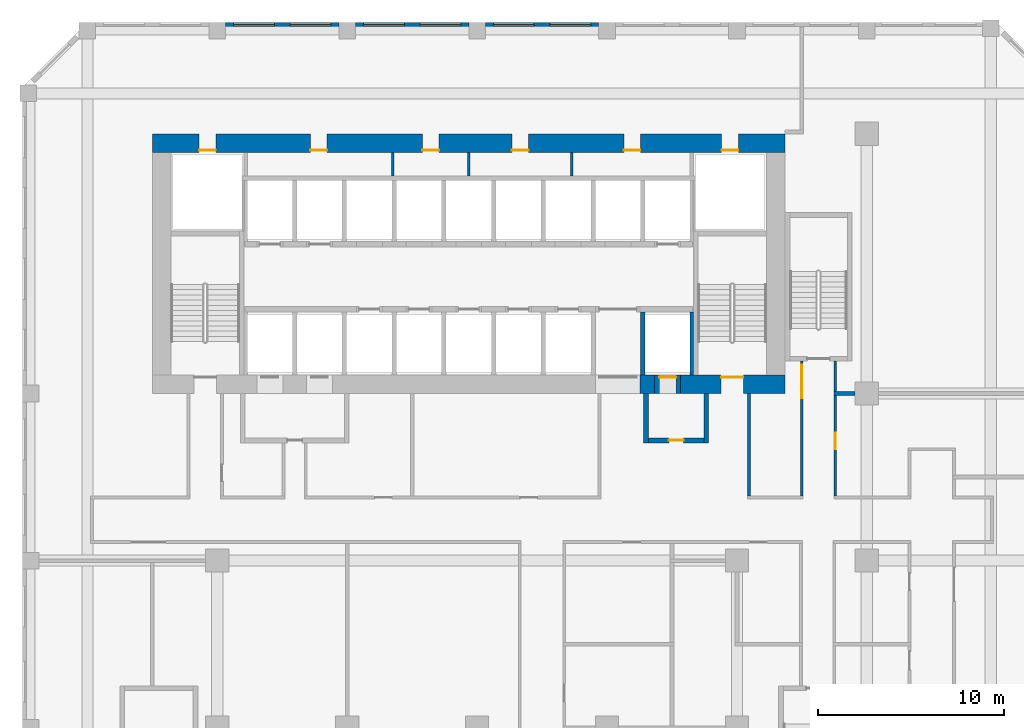
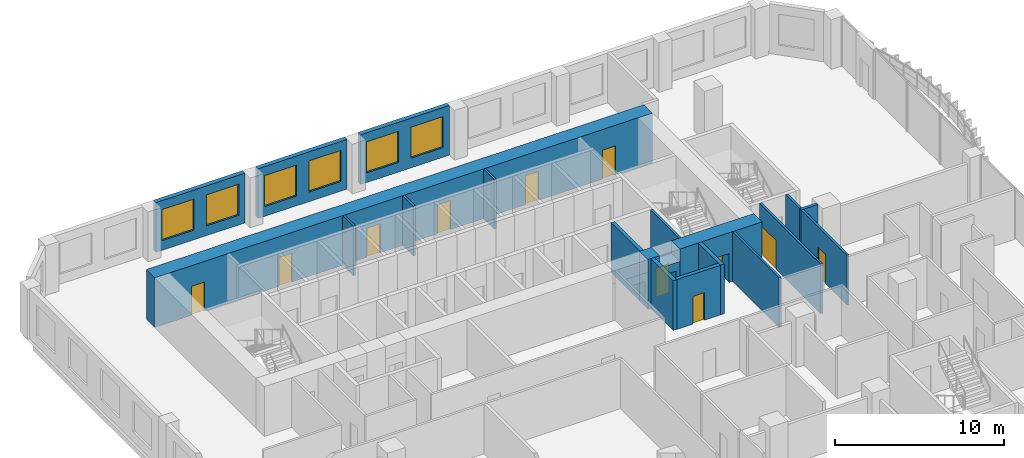
# One storey, part 16 of 21: 20 walls, 11 doors, 6 windows, 17 openings.
"""IFC4 building model written with IfcOpenShell, lengths in metres."""

import ifcopenshell
import ifcopenshell.guid

model = None  # the IFC model being written
_history = None  # IfcOwnerHistory: only IFC2X3 demands one
_inside = {}  # id of a spatial element -> (the spatial element, [elements in it])
_under = {}  # id of a project, library or spatial element -> (it, [spatial elements below it])
_declared = {}  # id of a project -> (the project, [libraries it declares])
_typed = {}  # id of a type object -> (the type object, [elements of that type])
_made_of = {}  # id of a material, layer set ... -> (it, [elements and type objects made of it])


def new_model(schema):
    """Start an empty IFC model of exactly this schema.

    Asked for "IFC4X3", IfcOpenShell would pick the latest addendum, in which some entities
    have other attributes; the version numbers below select the first issue.
    IFC2X3 requires an IfcOwnerHistory on every rooted entity: one is made here for all.
    """
    global model, _history
    if schema == "IFC4X3":
        model = ifcopenshell.file(schema_version=(4, 3, 0, 0))
    else:
        model = ifcopenshell.file(schema=schema)
    _inside.clear()
    _under.clear()
    _declared.clear()
    _typed.clear()
    _made_of.clear()
    _history = None
    if model.schema == "IFC2X3":
        org = make("IfcOrganization", Name="unknown")
        user = make(
            "IfcPersonAndOrganization",
            ThePerson=make("IfcPerson", FamilyName="unknown"),
            TheOrganization=org,
        )
        app = make(
            "IfcApplication",
            ApplicationDeveloper=org,
            Version="unknown",
            ApplicationFullName="unknown",
            ApplicationIdentifier="unknown",
        )
        _history = make(
            "IfcOwnerHistory",
            OwningUser=user,
            OwningApplication=app,
            ChangeAction="ADDED",
            CreationDate=0,
        )
    return model


def make(cls, **values):
    """One entity of the class cls with the attributes given. An attribute that is None is left unset."""
    return model.create_entity(
        cls, **{name: value for name, value in values.items() if value is not None}
    )


def rooted(cls, **values):
    """An entity with a GlobalId (a new one), such as an element, a storey or a relation."""
    return make(cls, GlobalId=ifcopenshell.guid.new(), OwnerHistory=_history, **values)


def si_unit(unit_type, name, prefix=None):
    """IfcSIUnit, for example si_unit("LENGTHUNIT", "METRE", prefix="MILLI")."""
    return make("IfcSIUnit", UnitType=unit_type, Prefix=prefix, Name=name)


def assignment(units):
    """IfcUnitAssignment: the units of a project."""
    return None if units is None else make("IfcUnitAssignment", Units=units)


def point(xyz):
    """IfcCartesianPoint."""
    return None if xyz is None else make("IfcCartesianPoint", Coordinates=xyz)


def direction(xyz):
    """IfcDirection."""
    return None if xyz is None else make("IfcDirection", DirectionRatios=xyz)


def frame(location, z_axis=None, x_axis=None):
    """IfcAxis2Placement3D, a coordinate frame: its origin and axes. An axis left out is left unset."""
    return make(
        "IfcAxis2Placement3D",
        Location=point(location),
        Axis=direction(z_axis),
        RefDirection=direction(x_axis),
    )


def frame_2d(location, x_axis=None):
    """IfcAxis2Placement2D, a coordinate frame in the plane: its origin and x axis."""
    return make(
        "IfcAxis2Placement2D", Location=point(location), RefDirection=direction(x_axis)
    )


def origin():
    """The frame at (0, 0, 0) with its axes left unset."""
    return frame((0.0, 0.0, 0.0))


def place(relative_to, where):
    """IfcLocalPlacement: puts the frame where relative to a parent placement (None: the world)."""
    return make(
        "IfcLocalPlacement", PlacementRelTo=relative_to, RelativePlacement=where
    )


def context(
    kind, dimensions, precision=None, world=None, true_north=None, identifier=None
):
    """IfcGeometricRepresentationContext, for example the 3D "Model" context."""
    return make(
        "IfcGeometricRepresentationContext",
        ContextIdentifier=identifier,
        ContextType=kind,
        CoordinateSpaceDimension=dimensions,
        Precision=precision,
        WorldCoordinateSystem=world,
        TrueNorth=true_north,
    )


def subcontext(parent, identifier, kind, view, scale=None):
    """IfcGeometricRepresentationSubContext, for example "Body" below "Model"."""
    return make(
        "IfcGeometricRepresentationSubContext",
        ContextIdentifier=identifier,
        ContextType=kind,
        ParentContext=parent,
        TargetScale=scale,
        TargetView=view,
    )


def project(units=None, contexts=None):
    """IfcProject with its units and contexts."""
    return rooted(
        "IfcProject",
        Name="project",
        RepresentationContexts=contexts,
        UnitsInContext=assignment(units),
    )


def spatial(cls, under=None, at=None, **own):
    """A site, building, storey or space (cls), placed at a placement, below another one or the project."""
    s = rooted(cls, ObjectPlacement=at, **own)
    if under is not None:
        _under.setdefault(under.id(), (under, []))[1].append(s)
    return s


def profile(cls, at=None, kind="AREA", **sizes):
    """A parametric profile (cls). Its sizes go by their IFC names, for example OverallWidth=200.0."""
    return make(cls, ProfileType=kind, Position=at, **sizes)


def rectangle(**sizes):
    """IfcRectangleProfileDef."""
    return profile("IfcRectangleProfileDef", **sizes)


def extrude(swept, where, along, depth):
    """IfcExtrudedAreaSolid: the profile swept, set in the frame where, extruded along a direction by depth."""
    return make(
        "IfcExtrudedAreaSolid",
        SweptArea=swept,
        Position=where,
        ExtrudedDirection=direction(along),
        Depth=depth,
    )


def shape(context_of_items, identifier, shape_type, items):
    """IfcShapeRepresentation: the items that make up one representation, for example the "Body"."""
    return make(
        "IfcShapeRepresentation",
        ContextOfItems=context_of_items,
        RepresentationIdentifier=identifier,
        RepresentationType=shape_type,
        Items=items,
    )


def source(mapping_origin, context_of_items, identifier, shape_type, items):
    """IfcRepresentationMap: a shape defined once, which mapped items show again and again."""
    return make(
        "IfcRepresentationMap",
        MappingOrigin=mapping_origin,
        MappedRepresentation=shape(context_of_items, identifier, shape_type, items),
    )


def transform(
    local_origin,
    x_axis=None,
    y_axis=None,
    z_axis=None,
    scale=None,
    scale2=None,
    scale3=None,
    uniform=True,
):
    """IfcCartesianTransformationOperator3D, or its non-uniform kind. x_axis, y_axis, z_axis: its Axis1, 2, 3."""
    if uniform:
        return make(
            "IfcCartesianTransformationOperator3D",
            Axis1=direction(x_axis),
            Axis2=direction(y_axis),
            LocalOrigin=point(local_origin),
            Scale=scale,
            Axis3=direction(z_axis),
        )
    return make(
        "IfcCartesianTransformationOperator3DnonUniform",
        Axis1=direction(x_axis),
        Axis2=direction(y_axis),
        LocalOrigin=point(local_origin),
        Scale=scale,
        Axis3=direction(z_axis),
        Scale2=scale2,
        Scale3=scale3,
    )


def mapped(mapping_source, mapping_target):
    """IfcMappedItem: shows the shape of a source again, moved by a transform."""
    return make(
        "IfcMappedItem", MappingSource=mapping_source, MappingTarget=mapping_target
    )


def material(Name=None, Category=None):
    """IfcMaterial."""
    return make("IfcMaterial", Name=Name, Category=Category)


def layer(
    of_material, thickness, ventilated=None, Name=None, Category=None, Priority=None
):
    """IfcMaterialLayer: one layer of a wall or slab, of a material (None: an air gap)."""
    return make(
        "IfcMaterialLayer",
        Material=of_material,
        LayerThickness=thickness,
        IsVentilated=ventilated,
        Name=Name,
        Category=Category,
        Priority=Priority,
    )


def layer_set(layers, Name=None):
    """IfcMaterialLayerSet."""
    return make("IfcMaterialLayerSet", MaterialLayers=layers, LayerSetName=Name)


def made_of(thing, what):
    """Note that an element or type object is made of a material, layer set ...; save() writes the relation."""
    if what is not None:
        _made_of.setdefault(what.id(), (what, []))[1].append(thing)
    return thing


def type_object(cls, material=None, **own):
    """A type object (cls), such as IfcWallType, which elements share."""
    return made_of(rooted(cls, **own), material)


def element(
    cls,
    number,
    at=None,
    inside=None,
    cuts=None,
    type_object=None,
    material=None,
    context=None,
    identifier="Body",
    shape_type=None,
    held_by="IfcProductDefinitionShape",
    body=None,
    shapes=None,
    **own,
):
    """One element of the class cls, such as IfcWall. Its Tag is "e" and its number.

    at: its placement. inside: the storey or other place that contains it. cuts: it is an
    opening in that element (IfcRelVoidsElement). A single representation is given by context,
    identifier, shape_type and body (its items); several are given by shapes. held_by: the class
    of the entity that holds the representations. save() writes the other relations.
    """
    e = rooted(cls, Tag="e%d" % number, ObjectPlacement=at, **own)
    if body is not None:
        shapes = [shape(context, identifier, shape_type, body)]
    if shapes is not None:
        e.Representation = make(held_by, Representations=shapes)
    if inside is not None:
        _inside.setdefault(inside.id(), (inside, []))[1].append(e)
    if cuts is not None:
        rooted(
            "IfcRelVoidsElement", RelatingBuildingElement=cuts, RelatedOpeningElement=e
        )
    if type_object is not None:
        _typed.setdefault(type_object.id(), (type_object, []))[1].append(e)
    return made_of(e, material)


def fill(opening, filler):
    """IfcRelFillsElement: the door or window that sits in an opening."""
    return rooted(
        "IfcRelFillsElement",
        RelatingOpeningElement=opening,
        RelatedBuildingElement=filler,
    )


def aggregate(whole, parts):
    """IfcRelAggregates: a whole, such as a stair, and the parts it consists of."""
    return rooted("IfcRelAggregates", RelatingObject=whole, RelatedObjects=parts)


def save(model, path):
    """Write the relations noted so far, then the file.

    IfcRelAggregates (storeys below a building ...), IfcRelContainedInSpatialStructure (elements
    in a storey), IfcRelDefinesByType, IfcRelAssociatesMaterial and IfcRelDeclares: one each for
    every whole, place, type object, material and project.
    """
    for whole, parts in _under.values():
        aggregate(whole, parts)
    for where, things in _inside.values():
        rooted(
            "IfcRelContainedInSpatialStructure",
            RelatedElements=things,
            RelatingStructure=where,
        )
    for kind, things in _typed.values():
        rooted("IfcRelDefinesByType", RelatedObjects=things, RelatingType=kind)
    for what, things in _made_of.values():
        rooted("IfcRelAssociatesMaterial", RelatedObjects=things, RelatingMaterial=what)
    for by, libraries in _declared.values():
        rooted("IfcRelDeclares", RelatingContext=by, RelatedDefinitions=libraries)
    model.write(path)


model = new_model("IFC4")

# Units and contexts
model_context = context("Model", 3, precision=1e-05, world=origin(), true_north=direction((0.0, 1.0)))
body_context = subcontext(model_context, "Body", "Model", "MODEL_VIEW")
ifc_project = project(units=[si_unit("LENGTHUNIT", "METRE"), si_unit("AREAUNIT", "SQUARE_METRE"), si_unit("VOLUMEUNIT", "CUBIC_METRE"), si_unit("PLANEANGLEUNIT", "RADIAN"), si_unit("MASSUNIT", "GRAM", prefix="KILO")], contexts=[model_context])

# Site, building, storey
site_placement = place(None, origin())
site = spatial("IfcSite", under=ifc_project, at=site_placement, CompositionType="ELEMENT")
building_placement = place(site_placement, origin())
building = spatial("IfcBuilding", under=site, at=building_placement, Name="Kilnfold Tower and Market Hall", CompositionType="ELEMENT")
storey_placement = place(building_placement, frame((0.0, 0.0, 91.199951171875)))
storey = spatial("IfcBuildingStorey", under=building, at=storey_placement, Name="L21", CompositionType="ELEMENT", Elevation=91.199951171875)

# Wall
ifc_material_1 = material(Name="Gypsum board on steel studs", Category="steel")
ifc_layer_1 = layer(ifc_material_1, 0.14990234375)
ifc_layer_set_1 = layer_set([ifc_layer_1], Name="Gypsum board on steel studs")
wall_type_1 = type_object("IfcWallType", Name="WALL CORRIDOR 150", PredefinedType="PARTITIONING", material=ifc_layer_set_1)
wall_1_placement = place(storey_placement, frame((16.14990234375, 2.47509765625, 0.0), z_axis=(0.0, 0.0, 1.0), x_axis=(0.0, 1.0, 0.0)))
element("IfcWall", 1, at=wall_1_placement, inside=storey, type_object=wall_type_1, Name="Partition LY14.28", PredefinedType="PARTITIONING", context=body_context, shape_type="SweptSolid", body=[
    extrude(rectangle(XDim=5.52490234375, YDim=0.14990234375, at=frame_2d((2.762451171875, 0.0))), origin(), (0.0, 0.0, 1.0), 3.60009765625),
])

# Wall, opening, door
wall_2_placement = place(storey_placement, frame((19.0, 9.75, 0.0), z_axis=(0.0, 0.0, 1.0), x_axis=(0.0, -1.0, 0.0)))
wall_2 = element("IfcWall", 2, at=wall_2_placement, inside=storey, type_object=wall_type_1, Name="Partition LY14.30", PredefinedType="PARTITIONING", context=body_context, shape_type="SweptSolid", body=[
    extrude(rectangle(XDim=7.27490234375, YDim=0.14990234375, at=frame_2d((3.637451171875, 0.0))), origin(), (0.0, 0.0, 1.0), 3.60009765625),
])
opening_1_placement = place(wall_2_placement, frame((0.199951171875, 0.0, 0.0)))
opening_1 = element("IfcOpeningElement", 3, at=opening_1_placement, cuts=wall_2, Name="Opening D5", PredefinedType="OPENING", context=body_context, shape_type="SweptSolid", body=[
    extrude(rectangle(XDim=1.800048828125, YDim=2.10009765625, at=frame_2d((0.89990234375, 1.050048828125))), frame((0.0, 0.0849609375, 0.0), z_axis=(0.0, -1.0, 0.0), x_axis=(1.0, 0.0, 0.0)), (0.0, 0.0, 1.0), 0.169921875),
])
ifc_material_2 = material(Name="Timber veneer door leaf in steel frame", Category="steel")
door_type_1 = type_object("IfcDoorType", Name="DOOR DOUBLE 1800 X2100", OperationType="NOTDEFINED", PredefinedType="DOOR", material=ifc_material_2)
door_1_placement = place(opening_1_placement, origin())
door_1 = element("IfcDoor", 4, at=door_1_placement, inside=storey, type_object=door_type_1, Name="Door D5", OperationType="DOUBLE_DOOR_SINGLE_SWING", OverallHeight=2.10009765625, OverallWidth=1.800048828125, PredefinedType="DOOR", context=body_context, shape_type="SweptSolid", body=[
    extrude(rectangle(XDim=1.800048828125, YDim=2.10009765625, at=frame_2d((0.89990234375, 1.050048828125))), frame((0.0, 0.02490234375, 0.0), z_axis=(0.0, -1.0, 0.0), x_axis=(1.0, 0.0, 0.0)), (0.0, 0.0, 1.0), 0.050048828125),
])
fill(opening_1, door_1)

# Wall
wall_3_placement = place(storey_placement, frame((20.800048828125, 8.090087890625, 0.0), z_axis=(0.0, 0.0, 1.0), x_axis=(0.0, 1.0, 0.0)))
element("IfcWall", 5, at=wall_3_placement, inside=storey, type_object=wall_type_1, Name="Partition LY14.31", PredefinedType="PARTITIONING", context=body_context, shape_type="SweptSolid", body=[
    extrude(rectangle(XDim=1.659912109375, YDim=0.14990234375, at=frame_2d((0.830078125, 0.0))), origin(), (0.0, 0.0, 1.0), 3.60009765625),
])

# Wall, opening, door
wall_4_placement = place(storey_placement, frame((20.800048828125, 2.47509765625, 0.0), z_axis=(0.0, 0.0, 1.0), x_axis=(0.0, 1.0, 0.0)))
wall_4 = element("IfcWall", 6, at=wall_4_placement, inside=storey, type_object=wall_type_1, Name="Partition LY14.35", PredefinedType="PARTITIONING", context=body_context, shape_type="SweptSolid", body=[
    extrude(rectangle(XDim=5.434814453125, YDim=0.14990234375, at=frame_2d((2.71728515625, 0.0))), origin(), (0.0, 0.0, 1.0), 3.60009765625),
])
opening_2_placement = place(wall_4_placement, frame((2.52001953125, 0.0, 0.0)))
opening_2 = element("IfcOpeningElement", 7, at=opening_2_placement, cuts=wall_4, Name="Opening D2", PredefinedType="OPENING", context=body_context, shape_type="SweptSolid", body=[
    extrude(rectangle(XDim=0.89990234375, YDim=2.10009765625, at=frame_2d((0.449951171875, 1.050048828125))), frame((0.0, 0.0849609375, 0.0), z_axis=(0.0, -1.0, 0.0), x_axis=(1.0, 0.0, 0.0)), (0.0, 0.0, 1.0), 0.169921875),
])
ifc_material_3 = material(Name="Timber veneer door leaf in steel frame", Category="steel")
door_type_2 = type_object("IfcDoorType", Name="DOOR ROOM 900 X2100", OperationType="NOTDEFINED", PredefinedType="DOOR", material=ifc_material_3)
door_2_placement = place(opening_2_placement, origin())
door_2 = element("IfcDoor", 8, at=door_2_placement, inside=storey, type_object=door_type_2, Name="Door D2", OperationType="SINGLE_SWING_RIGHT", OverallHeight=2.10009765625, OverallWidth=0.89990234375, PredefinedType="DOOR", context=body_context, shape_type="SweptSolid", body=[
    extrude(rectangle(XDim=0.89990234375, YDim=2.10009765625, at=frame_2d((0.449951171875, 1.050048828125))), frame((0.0, 0.02490234375, 0.0), z_axis=(0.0, -1.0, 0.0), x_axis=(1.0, 0.0, 0.0)), (0.0, 0.0, 1.0), 0.050048828125),
])
fill(opening_2, door_2)

# Walls
ifc_material_4 = material(Name="Gypsum board on steel studs", Category="steel")
ifc_layer_2 = layer(ifc_material_4, 0.199951171875)
ifc_layer_set_2 = layer_set([ifc_layer_2], Name="Gypsum board on steel studs")
wall_type_2 = type_object("IfcWallType", Name="WALL PARTY 200", PredefinedType="PARTITIONING", material=ifc_layer_set_2)
wall_5_placement = place(storey_placement, frame((20.72607421875, 8.0, 0.0), z_axis=(0.0, 0.0, 1.0), x_axis=(1.0, 0.0, 0.0)))
element("IfcWall", 9, at=wall_5_placement, inside=storey, type_object=wall_type_2, Name="Partition LY14.75", PredefinedType="PARTITIONING", context=body_context, shape_type="SweptSolid", body=[
    extrude(rectangle(XDim=1.14892578125, YDim=0.199951171875, at=frame_2d((0.574462890625, 0.0))), origin(), (0.0, 0.0, 1.0), 3.60009765625),
])
ifc_material_5 = material(Name="Concrete C80", Category="concrete")
ifc_layer_3 = layer(ifc_material_5, 1.0)
ifc_layer_set_3 = layer_set([ifc_layer_3], Name="Concrete C80")
wall_type_3 = type_object("IfcWallType", Name="CORE WALL 1000 C80", PredefinedType="SHEAR", material=ifc_layer_set_3)
shared_shape_1 = source(origin(), body_context, "Body", "SweptSolid", [
    extrude(rectangle(XDim=0.780029296875, YDim=1.0, at=frame_2d((0.39013671875, 0.0))), origin(), (0.0, 0.0, 1.0), 3.60009765625),
])
wall_6_placement = place(storey_placement, frame((10.2900390625, 8.5, 0.0), z_axis=(0.0, 0.0, 1.0), x_axis=(1.0, 0.0, 0.0)))
element("IfcWall", 10, at=wall_6_placement, inside=storey, type_object=wall_type_3, Name="Core outer wall south", PredefinedType="SHEAR", context=body_context, shape_type="MappedRepresentation", body=[
    mapped(shared_shape_1, transform((0.0, 0.0, 0.0))),
])

# Wall, opening, door
shared_shape_2 = source(origin(), body_context, "Body", "SweptSolid", [
    extrude(rectangle(XDim=5.630126953125, YDim=1.0, at=frame_2d((2.81494140625, 0.0))), origin(), (0.0, 0.0, 1.0), 3.60009765625),
])
wall_7_placement = place(storey_placement, frame((12.469970703125, 8.5, 0.0), z_axis=(0.0, 0.0, 1.0), x_axis=(1.0, 0.0, 0.0)))
wall_7 = element("IfcWall", 11, at=wall_7_placement, inside=storey, type_object=wall_type_3, Name="Core outer wall south", PredefinedType="SHEAR", context=body_context, shape_type="MappedRepresentation", body=[
    mapped(shared_shape_2, transform((0.0, 0.0, 0.0))),
])
opening_3_placement = place(wall_7_placement, frame((2.179931640625, 0.0, 0.0)))
opening_3 = element("IfcOpeningElement", 12, at=opening_3_placement, cuts=wall_7, Name="Opening SD1", PredefinedType="OPENING", context=body_context, shape_type="SweptSolid", body=[
    extrude(rectangle(XDim=1.199951171875, YDim=2.10009765625, at=frame_2d((0.60009765625, 1.050048828125))), frame((0.0, 0.510009765625, 0.0), z_axis=(0.0, -1.0, 0.0), x_axis=(1.0, 0.0, 0.0)), (0.0, 0.0, 1.0), 1.02001953125),
])
ifc_material_6 = material(Name="Steel door set with fire-resisting leaf", Category="steel")
door_type_3 = type_object("IfcDoorType", Name="STAIR FLOOR DOOR 1200X2100", OperationType="NOTDEFINED", PredefinedType="DOOR", material=ifc_material_6)
door_3_placement = place(opening_3_placement, origin())
door_3 = element("IfcDoor", 13, at=door_3_placement, inside=storey, type_object=door_type_3, Name="Exit stair ST2 door", OperationType="DOUBLE_DOOR_SINGLE_SWING", OverallHeight=2.10009765625, OverallWidth=1.199951171875, PredefinedType="DOOR", context=body_context, shape_type="SweptSolid", body=[
    extrude(rectangle(XDim=1.199951171875, YDim=2.10009765625, at=frame_2d((0.60009765625, 1.050048828125))), frame((0.0, 0.40478515625, 0.0), z_axis=(0.0, -1.0, 0.0), x_axis=(1.0, 0.0, 0.0)), (0.0, 0.0, 1.0), 0.050048828125),
])
fill(opening_3, door_3)

# Wall, openings, doors
shared_shape_3 = source(origin(), body_context, "Body", "SweptSolid", [
    extrude(rectangle(XDim=34.10009765625, YDim=1.0, at=frame_2d((17.050048828125, 0.0))), origin(), (0.0, 0.0, 1.0), 3.60009765625),
])
wall_8_placement = place(storey_placement, frame((-16.0, 21.5, 0.0), z_axis=(0.0, 0.0, 1.0), x_axis=(1.0, 0.0, 0.0)))
wall_8 = element("IfcWall", 14, at=wall_8_placement, inside=storey, type_object=wall_type_3, Name="Core outer wall north", PredefinedType="SHEAR", context=body_context, shape_type="MappedRepresentation", body=[
    mapped(shared_shape_3, transform((0.0, 0.0, 0.0))),
])
opening_4_placement = place(wall_8_placement, frame((8.519775390625, 0.0, 0.0)))
opening_4 = element("IfcOpeningElement", 15, at=opening_4_placement, cuts=wall_8, Name="Opening KD1", PredefinedType="OPENING", context=body_context, shape_type="SweptSolid", body=[
    extrude(rectangle(XDim=0.89990234375, YDim=2.10009765625, at=frame_2d((0.449951171875, 1.050048828125))), frame((0.0, 0.510009765625, 0.0), z_axis=(0.0, -1.0, 0.0), x_axis=(1.0, 0.0, 0.0)), (0.0, 0.0, 1.0), 1.02001953125),
])
opening_5_placement = place(wall_8_placement, frame((14.5498046875, 0.0, 0.0)))
opening_5 = element("IfcOpeningElement", 16, at=opening_5_placement, cuts=wall_8, Name="Opening KD1", PredefinedType="OPENING", context=body_context, shape_type="SweptSolid", body=[
    extrude(rectangle(XDim=0.89990234375, YDim=2.10009765625, at=frame_2d((0.449951171875, 1.050048828125))), frame((0.0, 0.510009765625, 0.0), z_axis=(0.0, -1.0, 0.0), x_axis=(1.0, 0.0, 0.0)), (0.0, 0.0, 1.0), 1.02001953125),
])
opening_6_placement = place(wall_8_placement, frame((19.373779296875, 0.0, 0.0)))
opening_6 = element("IfcOpeningElement", 17, at=opening_6_placement, cuts=wall_8, Name="Opening KD1", PredefinedType="OPENING", context=body_context, shape_type="SweptSolid", body=[
    extrude(rectangle(XDim=0.89990234375, YDim=2.10009765625, at=frame_2d((0.449951171875, 1.050048828125))), frame((0.0, 0.510009765625, 0.0), z_axis=(0.0, -1.0, 0.0), x_axis=(1.0, 0.0, 0.0)), (0.0, 0.0, 1.0), 1.02001953125),
])
opening_7_placement = place(wall_8_placement, frame((25.40380859375, 0.0, 0.0)))
opening_7 = element("IfcOpeningElement", 18, at=opening_7_placement, cuts=wall_8, Name="Opening KD1", PredefinedType="OPENING", context=body_context, shape_type="SweptSolid", body=[
    extrude(rectangle(XDim=0.89990234375, YDim=2.10009765625, at=frame_2d((0.449951171875, 1.050048828125))), frame((0.0, 0.510009765625, 0.0), z_axis=(0.0, -1.0, 0.0), x_axis=(1.0, 0.0, 0.0)), (0.0, 0.0, 1.0), 1.02001953125),
])
opening_8_placement = place(wall_8_placement, frame((2.52490234375, 0.0, 0.0)))
opening_8 = element("IfcOpeningElement", 19, at=opening_8_placement, cuts=wall_8, Name="Opening KD1", PredefinedType="OPENING", context=body_context, shape_type="SweptSolid", body=[
    extrude(rectangle(XDim=0.89990234375, YDim=2.10009765625, at=frame_2d((0.449951171875, 1.050048828125))), frame((0.0, 0.510009765625, 0.0), z_axis=(0.0, -1.0, 0.0), x_axis=(1.0, 0.0, 0.0)), (0.0, 0.0, 1.0), 1.02001953125),
])
opening_9_placement = place(wall_8_placement, frame((30.675048828125, 0.0, 0.0)))
opening_9 = element("IfcOpeningElement", 20, at=opening_9_placement, cuts=wall_8, Name="Opening KD1", PredefinedType="OPENING", context=body_context, shape_type="SweptSolid", body=[
    extrude(rectangle(XDim=0.89990234375, YDim=2.10009765625, at=frame_2d((0.449951171875, 1.050048828125))), frame((0.0, 0.510009765625, 0.0), z_axis=(0.0, -1.0, 0.0), x_axis=(1.0, 0.0, 0.0)), (0.0, 0.0, 1.0), 1.02001953125),
])
ifc_material_7 = material(Name="Steel door set with fire-resisting leaf", Category="steel")
door_type_4 = type_object("IfcDoorType", Name="SERVICE DOOR 900X2100", OperationType="NOTDEFINED", PredefinedType="DOOR", material=ifc_material_7)
door_4_placement = place(opening_4_placement, origin())
door_4 = element("IfcDoor", 21, at=door_4_placement, inside=storey, type_object=door_type_4, Name="Core service door", OperationType="SINGLE_SWING_RIGHT", OverallHeight=2.10009765625, OverallWidth=0.89990234375, PredefinedType="DOOR", context=body_context, shape_type="SweptSolid", body=[
    extrude(rectangle(XDim=0.89990234375, YDim=2.10009765625, at=frame_2d((0.449951171875, 1.050048828125))), frame((0.0, -0.35498046875, 0.0), z_axis=(0.0, -1.0, 0.0), x_axis=(1.0, 0.0, 0.0)), (0.0, 0.0, 1.0), 0.050048828125),
])
fill(opening_4, door_4)
door_5_placement = place(opening_5_placement, origin())
door_5 = element("IfcDoor", 22, at=door_5_placement, inside=storey, type_object=door_type_4, Name="Core service door", OperationType="SINGLE_SWING_LEFT", OverallHeight=2.10009765625, OverallWidth=0.89990234375, PredefinedType="DOOR", context=body_context, shape_type="SweptSolid", body=[
    extrude(rectangle(XDim=0.89990234375, YDim=2.10009765625, at=frame_2d((0.449951171875, 1.050048828125))), frame((0.0, -0.35498046875, 0.0), z_axis=(0.0, -1.0, 0.0), x_axis=(1.0, 0.0, 0.0)), (0.0, 0.0, 1.0), 0.050048828125),
])
fill(opening_5, door_5)
door_6_placement = place(opening_6_placement, origin())
door_6 = element("IfcDoor", 23, at=door_6_placement, inside=storey, type_object=door_type_4, Name="Core service door", OperationType="SINGLE_SWING_RIGHT", OverallHeight=2.10009765625, OverallWidth=0.89990234375, PredefinedType="DOOR", context=body_context, shape_type="SweptSolid", body=[
    extrude(rectangle(XDim=0.89990234375, YDim=2.10009765625, at=frame_2d((0.449951171875, 1.050048828125))), frame((0.0, -0.35498046875, 0.0), z_axis=(0.0, -1.0, 0.0), x_axis=(1.0, 0.0, 0.0)), (0.0, 0.0, 1.0), 0.050048828125),
])
fill(opening_6, door_6)
door_7_placement = place(opening_7_placement, origin())
door_7 = element("IfcDoor", 24, at=door_7_placement, inside=storey, type_object=door_type_4, Name="Core service door", OperationType="SINGLE_SWING_LEFT", OverallHeight=2.10009765625, OverallWidth=0.89990234375, PredefinedType="DOOR", context=body_context, shape_type="SweptSolid", body=[
    extrude(rectangle(XDim=0.89990234375, YDim=2.10009765625, at=frame_2d((0.449951171875, 1.050048828125))), frame((0.0, -0.35498046875, 0.0), z_axis=(0.0, -1.0, 0.0), x_axis=(1.0, 0.0, 0.0)), (0.0, 0.0, 1.0), 0.050048828125),
])
fill(opening_7, door_7)
door_8_placement = place(opening_8_placement, origin())
door_8 = element("IfcDoor", 25, at=door_8_placement, inside=storey, type_object=door_type_4, Name="Electrical riser access door", OperationType="SINGLE_SWING_RIGHT", OverallHeight=2.10009765625, OverallWidth=0.89990234375, PredefinedType="DOOR", context=body_context, shape_type="SweptSolid", body=[
    extrude(rectangle(XDim=0.89990234375, YDim=2.10009765625, at=frame_2d((0.449951171875, 1.050048828125))), frame((0.0, -0.35498046875, 0.0), z_axis=(0.0, -1.0, 0.0), x_axis=(1.0, 0.0, 0.0)), (0.0, 0.0, 1.0), 0.050048828125),
])
fill(opening_8, door_8)
door_9_placement = place(opening_9_placement, origin())
door_9 = element("IfcDoor", 26, at=door_9_placement, inside=storey, type_object=door_type_4, Name="Mechanical riser access door", OperationType="SINGLE_SWING_LEFT", OverallHeight=2.10009765625, OverallWidth=0.89990234375, PredefinedType="DOOR", context=body_context, shape_type="SweptSolid", body=[
    extrude(rectangle(XDim=0.89990234375, YDim=2.10009765625, at=frame_2d((0.449951171875, 1.050048828125))), frame((0.0, -0.35498046875, 0.0), z_axis=(0.0, -1.0, 0.0), x_axis=(1.0, 0.0, 0.0)), (0.0, 0.0, 1.0), 0.050048828125),
])
fill(opening_9, door_9)

# Wall, openings, windows
ifc_material_8 = material(Name="Precast concrete C50/60", Category="concrete")
ifc_layer_4 = layer(ifc_material_8, 0.300048828125)
ifc_layer_set_4 = layer_set([ifc_layer_4], Name="Precast concrete C50/60")
wall_type_4 = type_object("IfcWallType", Name="PRECAST WALL 300", PredefinedType="SOLIDWALL", material=ifc_layer_set_4)
shared_shape_4 = source(origin(), body_context, "Body", "SweptSolid", [
    extrude(rectangle(XDim=6.10009765625, YDim=0.300048828125, at=frame_2d((3.050048828125, 0.0))), origin(), (0.0, 0.0, 1.0), 3.60009765625),
])
wall_9_placement = place(storey_placement, frame((8.050048828125, 27.85009765625, 0.0), z_axis=(0.0, 0.0, 1.0), x_axis=(-1.0, 0.0, 0.0)))
wall_9 = element("IfcWall", 27, at=wall_9_placement, inside=storey, type_object=wall_type_4, Name="External wall L21 N", PredefinedType="SOLIDWALL", context=body_context, shape_type="MappedRepresentation", body=[
    mapped(shared_shape_4, transform((0.0, 0.0, 0.0))),
])
opening_10_placement = place(wall_9_placement, frame((0.425048828125, 0.0, 0.699951171875)))
opening_10 = element("IfcOpeningElement", 28, at=opening_10_placement, cuts=wall_9, Name="Opening W1", PredefinedType="OPENING", context=body_context, shape_type="SweptSolid", body=[
    extrude(rectangle(XDim=2.199951171875, YDim=2.25, at=frame_2d((1.10009765625, 1.125))), frame((0.0, 0.16015625, 0.0), z_axis=(0.0, -1.0, 0.0), x_axis=(1.0, 0.0, 0.0)), (0.0, 0.0, 1.0), 0.320068359375),
])
opening_11_placement = place(wall_9_placement, frame((3.47509765625, 0.0, 0.699951171875)))
opening_11 = element("IfcOpeningElement", 29, at=opening_11_placement, cuts=wall_9, Name="Opening W1", PredefinedType="OPENING", context=body_context, shape_type="SweptSolid", body=[
    extrude(rectangle(XDim=2.199951171875, YDim=2.25, at=frame_2d((1.10009765625, 1.125))), frame((0.0, 0.16015625, 0.0), z_axis=(0.0, -1.0, 0.0), x_axis=(1.0, 0.0, 0.0)), (0.0, 0.0, 1.0), 0.320068359375),
])
ifc_material_9 = material(Name="Aluminium frame and double glazing", Category="aluminium")
window_type = type_object("IfcWindowType", Name="WINDOW W1 2200X2250", PartitioningType="SINGLE_PANEL", PredefinedType="WINDOW", material=ifc_material_9)
window_1_placement = place(opening_10_placement, origin())
window_1 = element("IfcWindow", 30, at=window_1_placement, inside=storey, type_object=window_type, Name="Window W1 L21 N-1", OverallHeight=2.25, OverallWidth=2.199951171875, PartitioningType="SINGLE_PANEL", PredefinedType="WINDOW", context=body_context, shape_type="SweptSolid", body=[
    extrude(rectangle(XDim=2.199951171875, YDim=2.25, at=frame_2d((1.10009765625, 1.125))), frame((0.0, 0.030029296875, 0.0), z_axis=(0.0, -1.0, 0.0), x_axis=(1.0, 0.0, 0.0)), (0.0, 0.0, 1.0), 0.06005859375),
])
fill(opening_10, window_1)
window_2_placement = place(opening_11_placement, origin())
window_2 = element("IfcWindow", 31, at=window_2_placement, inside=storey, type_object=window_type, Name="Window W1 L21 N-2", OverallHeight=2.25, OverallWidth=2.199951171875, PartitioningType="SINGLE_PANEL", PredefinedType="WINDOW", context=body_context, shape_type="SweptSolid", body=[
    extrude(rectangle(XDim=2.199951171875, YDim=2.25, at=frame_2d((1.10009765625, 1.125))), frame((0.0, 0.030029296875, 0.0), z_axis=(0.0, -1.0, 0.0), x_axis=(1.0, 0.0, 0.0)), (0.0, 0.0, 1.0), 0.06005859375),
])
fill(opening_11, window_2)

wall_10_placement = place(storey_placement, frame((1.050048828125, 27.85009765625, 0.0), z_axis=(0.0, 0.0, 1.0), x_axis=(-1.0, 0.0, 0.0)))
wall_10 = element("IfcWall", 32, at=wall_10_placement, inside=storey, type_object=wall_type_4, Name="External wall L21 N", PredefinedType="SOLIDWALL", context=body_context, shape_type="MappedRepresentation", body=[
    mapped(shared_shape_4, transform((0.0, 0.0, 0.0))),
])
opening_12_placement = place(wall_10_placement, frame((0.425048828125, 0.0, 0.699951171875)))
opening_12 = element("IfcOpeningElement", 33, at=opening_12_placement, cuts=wall_10, Name="Opening W1", PredefinedType="OPENING", context=body_context, shape_type="SweptSolid", body=[
    extrude(rectangle(XDim=2.199951171875, YDim=2.25, at=frame_2d((1.10009765625, 1.125))), frame((0.0, 0.16015625, 0.0), z_axis=(0.0, -1.0, 0.0), x_axis=(1.0, 0.0, 0.0)), (0.0, 0.0, 1.0), 0.320068359375),
])
opening_13_placement = place(wall_10_placement, frame((3.47509765625, 0.0, 0.699951171875)))
opening_13 = element("IfcOpeningElement", 34, at=opening_13_placement, cuts=wall_10, Name="Opening W1", PredefinedType="OPENING", context=body_context, shape_type="SweptSolid", body=[
    extrude(rectangle(XDim=2.199951171875, YDim=2.25, at=frame_2d((1.10009765625, 1.125))), frame((0.0, 0.16015625, 0.0), z_axis=(0.0, -1.0, 0.0), x_axis=(1.0, 0.0, 0.0)), (0.0, 0.0, 1.0), 0.320068359375),
])
window_3_placement = place(opening_12_placement, origin())
window_3 = element("IfcWindow", 35, at=window_3_placement, inside=storey, type_object=window_type, Name="Window W1 L21 N-1", OverallHeight=2.25, OverallWidth=2.199951171875, PartitioningType="SINGLE_PANEL", PredefinedType="WINDOW", context=body_context, shape_type="SweptSolid", body=[
    extrude(rectangle(XDim=2.199951171875, YDim=2.25, at=frame_2d((1.10009765625, 1.125))), frame((0.0, 0.030029296875, 0.0), z_axis=(0.0, -1.0, 0.0), x_axis=(1.0, 0.0, 0.0)), (0.0, 0.0, 1.0), 0.06005859375),
])
fill(opening_12, window_3)
window_4_placement = place(opening_13_placement, origin())
window_4 = element("IfcWindow", 36, at=window_4_placement, inside=storey, type_object=window_type, Name="Window W1 L21 N-2", OverallHeight=2.25, OverallWidth=2.199951171875, PartitioningType="SINGLE_PANEL", PredefinedType="WINDOW", context=body_context, shape_type="SweptSolid", body=[
    extrude(rectangle(XDim=2.199951171875, YDim=2.25, at=frame_2d((1.10009765625, 1.125))), frame((0.0, 0.030029296875, 0.0), z_axis=(0.0, -1.0, 0.0), x_axis=(1.0, 0.0, 0.0)), (0.0, 0.0, 1.0), 0.06005859375),
])
fill(opening_13, window_4)

wall_11_placement = place(storey_placement, frame((-5.949951171875, 27.85009765625, 0.0), z_axis=(0.0, 0.0, 1.0), x_axis=(-1.0, 0.0, 0.0)))
wall_11 = element("IfcWall", 37, at=wall_11_placement, inside=storey, type_object=wall_type_4, Name="External wall L21 N", PredefinedType="SOLIDWALL", context=body_context, shape_type="MappedRepresentation", body=[
    mapped(shared_shape_4, transform((0.0, 0.0, 0.0))),
])
opening_14_placement = place(wall_11_placement, frame((0.425048828125, 0.0, 0.699951171875)))
opening_14 = element("IfcOpeningElement", 38, at=opening_14_placement, cuts=wall_11, Name="Opening W1", PredefinedType="OPENING", context=body_context, shape_type="SweptSolid", body=[
    extrude(rectangle(XDim=2.199951171875, YDim=2.25, at=frame_2d((1.10009765625, 1.125))), frame((0.0, 0.16015625, 0.0), z_axis=(0.0, -1.0, 0.0), x_axis=(1.0, 0.0, 0.0)), (0.0, 0.0, 1.0), 0.320068359375),
])
opening_15_placement = place(wall_11_placement, frame((3.47509765625, 0.0, 0.699951171875)))
opening_15 = element("IfcOpeningElement", 39, at=opening_15_placement, cuts=wall_11, Name="Opening W1", PredefinedType="OPENING", context=body_context, shape_type="SweptSolid", body=[
    extrude(rectangle(XDim=2.199951171875, YDim=2.25, at=frame_2d((1.10009765625, 1.125))), frame((0.0, 0.16015625, 0.0), z_axis=(0.0, -1.0, 0.0), x_axis=(1.0, 0.0, 0.0)), (0.0, 0.0, 1.0), 0.320068359375),
])
window_5_placement = place(opening_14_placement, origin())
window_5 = element("IfcWindow", 40, at=window_5_placement, inside=storey, type_object=window_type, Name="Window W1 L21 N-1", OverallHeight=2.25, OverallWidth=2.199951171875, PartitioningType="SINGLE_PANEL", PredefinedType="WINDOW", context=body_context, shape_type="SweptSolid", body=[
    extrude(rectangle(XDim=2.199951171875, YDim=2.25, at=frame_2d((1.10009765625, 1.125))), frame((0.0, 0.030029296875, 0.0), z_axis=(0.0, -1.0, 0.0), x_axis=(1.0, 0.0, 0.0)), (0.0, 0.0, 1.0), 0.06005859375),
])
fill(opening_14, window_5)
window_6_placement = place(opening_15_placement, origin())
window_6 = element("IfcWindow", 41, at=window_6_placement, inside=storey, type_object=window_type, Name="Window W1 L21 N-2", OverallHeight=2.25, OverallWidth=2.199951171875, PartitioningType="SINGLE_PANEL", PredefinedType="WINDOW", context=body_context, shape_type="SweptSolid", body=[
    extrude(rectangle(XDim=2.199951171875, YDim=2.25, at=frame_2d((1.10009765625, 1.125))), frame((0.0, 0.030029296875, 0.0), z_axis=(0.0, -1.0, 0.0), x_axis=(1.0, 0.0, 0.0)), (0.0, 0.0, 1.0), 0.06005859375),
])
fill(opening_15, window_6)

# Wall, opening, door
ifc_material_10 = material(Name="Gypsum shaft wall system")
ifc_layer_5 = layer(ifc_material_10, 1.0)
ifc_layer_set_5 = layer_set([ifc_layer_5], Name="Gypsum shaft wall system")
wall_type_5 = type_object("IfcWallType", Name="LOBBY WALL 1000", PredefinedType="PARTITIONING", material=ifc_layer_set_5)
shared_shape_5 = source(origin(), body_context, "Body", "SweptSolid", [
    extrude(rectangle(XDim=1.39990234375, YDim=1.0, at=frame_2d((0.699951171875, 0.0))), origin(), (0.0, 0.0, 1.0), 2.699951171875),
])
wall_12_placement = place(storey_placement, frame((11.070068359375, 8.5, 0.0), z_axis=(0.0, 0.0, 1.0), x_axis=(1.0, 0.0, 0.0)))
wall_12 = element("IfcWall", 42, at=wall_12_placement, inside=storey, type_object=wall_type_5, Name="Core wall infill", PredefinedType="PARTITIONING", context=body_context, shape_type="MappedRepresentation", body=[
    mapped(shared_shape_5, transform((0.0, 0.0, 0.0))),
])
opening_16_placement = place(wall_12_placement, frame((0.25, 0.0, 0.0)))
opening_16 = element("IfcOpeningElement", 43, at=opening_16_placement, cuts=wall_12, Name="Opening LD1", PredefinedType="OPENING", context=body_context, shape_type="SweptSolid", body=[
    extrude(rectangle(XDim=0.89990234375, YDim=2.10009765625, at=frame_2d((0.449951171875, 1.050048828125))), frame((0.0, 0.510009765625, 0.0), z_axis=(0.0, -1.0, 0.0), x_axis=(1.0, 0.0, 0.0)), (0.0, 0.0, 1.0), 1.02001953125),
])
ifc_material_11 = material(Name="Steel door set with fire-resisting leaf", Category="steel")
door_type_5 = type_object("IfcDoorType", Name="FIREFIGHTING LANDING DOOR 900X2100", OperationType="NOTDEFINED", PredefinedType="DOOR", material=ifc_material_11)
door_10_placement = place(opening_16_placement, origin())
door_10 = element("IfcDoor", 44, at=door_10_placement, inside=storey, type_object=door_type_5, Name="Landing door FF3", OperationType="SLIDING_TO_LEFT", OverallHeight=2.10009765625, OverallWidth=0.89990234375, PredefinedType="DOOR", context=body_context, shape_type="SweptSolid", body=[
    extrude(rectangle(XDim=0.89990234375, YDim=2.10009765625, at=frame_2d((0.449951171875, 1.050048828125))), frame((0.0, 0.40478515625, 0.0), z_axis=(0.0, -1.0, 0.0), x_axis=(1.0, 0.0, 0.0)), (0.0, 0.0, 1.0), 0.050048828125),
])
fill(opening_16, door_10)

# Walls
ifc_material_12 = material(Name="Gypsum shaft wall system")
ifc_layer_6 = layer(ifc_material_12, 0.25)
ifc_layer_set_6 = layer_set([ifc_layer_6], Name="Gypsum shaft wall system")
wall_type_6 = type_object("IfcWallType", Name="LOBBY WALL 250", PredefinedType="PARTITIONING", material=ifc_layer_set_6)
shared_shape_6 = source(origin(), body_context, "Body", "SweptSolid", [
    extrude(rectangle(XDim=2.64990234375, YDim=0.25, at=frame_2d((1.324951171875, 0.0))), origin(), (0.0, 0.0, 1.0), 3.60009765625),
])
for number, where, z_axis, x_axis, name in (
    (45, (10.60498046875, 5.35009765625, 0.0), (0.0, 0.0, 1.0), (0.0, 1.0, 0.0), "Firefighting lobby wall"),
    (46, (13.85498046875, 5.35009765625, 0.0), (0.0, 0.0, 1.0), (0.0, 1.0, 0.0), "Firefighting lobby wall"),
):
    element("IfcWall", number, at=place(storey_placement, frame(where, z_axis=z_axis, x_axis=x_axis)), inside=storey, type_object=wall_type_6, Name=name, PredefinedType="PARTITIONING", context=body_context, shape_type="MappedRepresentation", body=[
        mapped(shared_shape_6, transform((0.0, 0.0, 0.0))),
    ])

# Wall, opening, door
shared_shape_7 = source(origin(), body_context, "Body", "SweptSolid", [
    extrude(rectangle(XDim=3.0, YDim=0.25, at=frame_2d((1.5, 0.0))), origin(), (0.0, 0.0, 1.0), 3.60009765625),
])
wall_13_placement = place(storey_placement, frame((10.72998046875, 5.47509765625, 0.0), z_axis=(0.0, 0.0, 1.0), x_axis=(1.0, 0.0, 0.0)))
wall_13 = element("IfcWall", 47, at=wall_13_placement, inside=storey, type_object=wall_type_6, Name="Firefighting lobby wall", PredefinedType="PARTITIONING", context=body_context, shape_type="MappedRepresentation", body=[
    mapped(shared_shape_7, transform((0.0, 0.0, 0.0))),
])
opening_17_placement = place(wall_13_placement, frame((1.10009765625, 0.0, 0.0)))
opening_17 = element("IfcOpeningElement", 48, at=opening_17_placement, cuts=wall_13, Name="Opening VD1", PredefinedType="OPENING", context=body_context, shape_type="SweptSolid", body=[
    extrude(rectangle(XDim=0.800048828125, YDim=2.0, at=frame_2d((0.39990234375, 1.0))), frame((0.0, 0.135009765625, 0.0), z_axis=(0.0, -1.0, 0.0), x_axis=(1.0, 0.0, 0.0)), (0.0, 0.0, 1.0), 0.27001953125),
])
ifc_material_13 = material(Name="Steel door set with fire-resisting leaf", Category="steel")
door_type_6 = type_object("IfcDoorType", Name="FIREFIGHTING LOBBY DOOR 800X2000", OperationType="NOTDEFINED", PredefinedType="DOOR", material=ifc_material_13)
door_11_placement = place(opening_17_placement, origin())
door_11 = element("IfcDoor", 49, at=door_11_placement, inside=storey, type_object=door_type_6, Name="Firefighting lobby door", OperationType="SINGLE_SWING_RIGHT", OverallHeight=2.0, OverallWidth=0.800048828125, PredefinedType="DOOR", context=body_context, shape_type="SweptSolid", body=[
    extrude(rectangle(XDim=0.800048828125, YDim=2.0, at=frame_2d((0.39990234375, 1.0))), frame((0.0, 0.02490234375, 0.0), z_axis=(0.0, -1.0, 0.0), x_axis=(1.0, 0.0, 0.0)), (0.0, 0.0, 1.0), 0.050048828125),
])
fill(opening_17, door_11)

# Walls
ifc_material_14 = material(Name="Gypsum shaft wall system")
ifc_layer_7 = layer(ifc_material_14, 0.25)
ifc_layer_set_7 = layer_set([ifc_layer_7], Name="Gypsum shaft wall system")
wall_type_7 = type_object("IfcWallType", Name="SHAFT WALL 250", PredefinedType="PARTITIONING", material=ifc_layer_set_7)
shared_shape_8 = source(origin(), body_context, "Body", "SweptSolid", [
    extrude(rectangle(XDim=3.39990234375, YDim=0.25, at=frame_2d((1.699951171875, 0.0))), origin(), (0.0, 0.0, 1.0), 3.60009765625),
])
wall_14_placement = place(storey_placement, frame((10.429931640625, 9.0, 0.0), z_axis=(0.0, 0.0, 1.0), x_axis=(0.0, 1.0, 0.0)))
element("IfcWall", 50, at=wall_14_placement, inside=storey, type_object=wall_type_7, Name="Lift shaft wall", PredefinedType="PARTITIONING", context=body_context, shape_type="MappedRepresentation", body=[
    mapped(shared_shape_8, transform((0.0, 0.0, 0.0))),
])
ifc_material_15 = material(Name="Gypsum shaft wall system")
ifc_layer_8 = layer(ifc_material_15, 0.1650390625)
ifc_layer_set_8 = layer_set([ifc_layer_8], Name="Gypsum shaft wall system")
wall_type_8 = type_object("IfcWallType", Name="SHAFT WALL 165", PredefinedType="PARTITIONING", material=ifc_layer_set_8)
shared_shape_9 = source(origin(), body_context, "Body", "SweptSolid", [
    extrude(rectangle(XDim=3.39990234375, YDim=0.1650390625, at=frame_2d((1.699951171875, 0.0))), origin(), (0.0, 0.0, 1.0), 3.60009765625),
])
wall_15_placement = place(storey_placement, frame((13.0673828125, 9.0, 0.0), z_axis=(0.0, 0.0, 1.0), x_axis=(0.0, 1.0, 0.0)))
element("IfcWall", 51, at=wall_15_placement, inside=storey, type_object=wall_type_8, Name="Lift shaft wall", PredefinedType="PARTITIONING", context=body_context, shape_type="MappedRepresentation", body=[
    mapped(shared_shape_9, transform((0.0, 0.0, 0.0))),
])
ifc_material_16 = material(Name="Gypsum shaft wall system")
ifc_layer_9 = layer(ifc_material_16, 0.14990234375)
ifc_layer_set_9 = layer_set([ifc_layer_9], Name="Gypsum shaft wall system")
wall_type_9 = type_object("IfcWallType", Name="ROOM WALL 150", PredefinedType="PARTITIONING", material=ifc_layer_set_9)
shared_shape_10 = source(origin(), body_context, "Body", "SweptSolid", [
    extrude(rectangle(XDim=1.27490234375, YDim=0.14990234375, at=frame_2d((0.637451171875, 0.0))), origin(), (0.0, 0.0, 1.0), 3.60009765625),
])
for number, where, z_axis, x_axis, name in (
    (52, (-3.05029296875, 19.72509765625, 0.0), (0.0, 0.0, 1.0), (0.0, 1.0, 0.0), "Core room wall"),
    (53, (1.050048828125, 19.72509765625, 0.0), (0.0, 0.0, 1.0), (0.0, 1.0, 0.0), "Core room wall"),
    (54, (6.59765625, 19.72509765625, 0.0), (0.0, 0.0, 1.0), (0.0, 1.0, 0.0), "Core room wall"),
):
    element("IfcWall", number, at=place(storey_placement, frame(where, z_axis=z_axis, x_axis=x_axis)), inside=storey, type_object=wall_type_9, Name=name, PredefinedType="PARTITIONING", context=body_context, shape_type="MappedRepresentation", body=[
        mapped(shared_shape_10, transform((0.0, 0.0, 0.0))),
    ])

save(model, "model.ifc")
